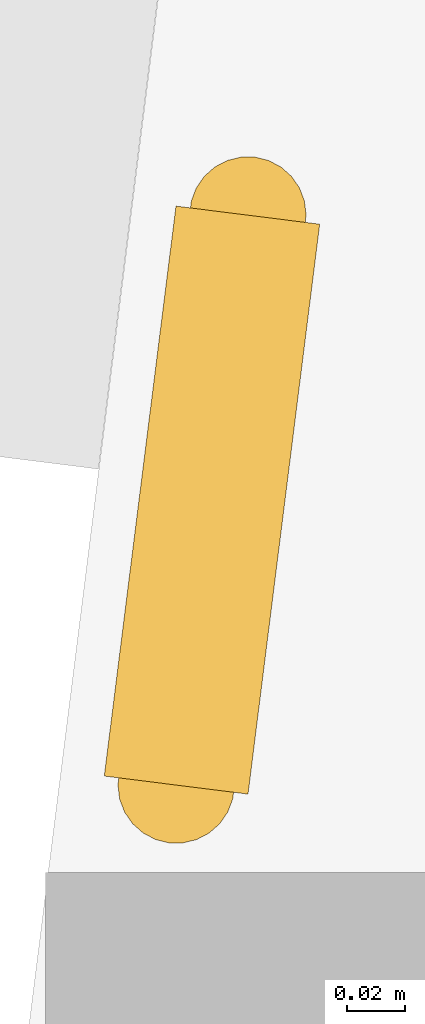
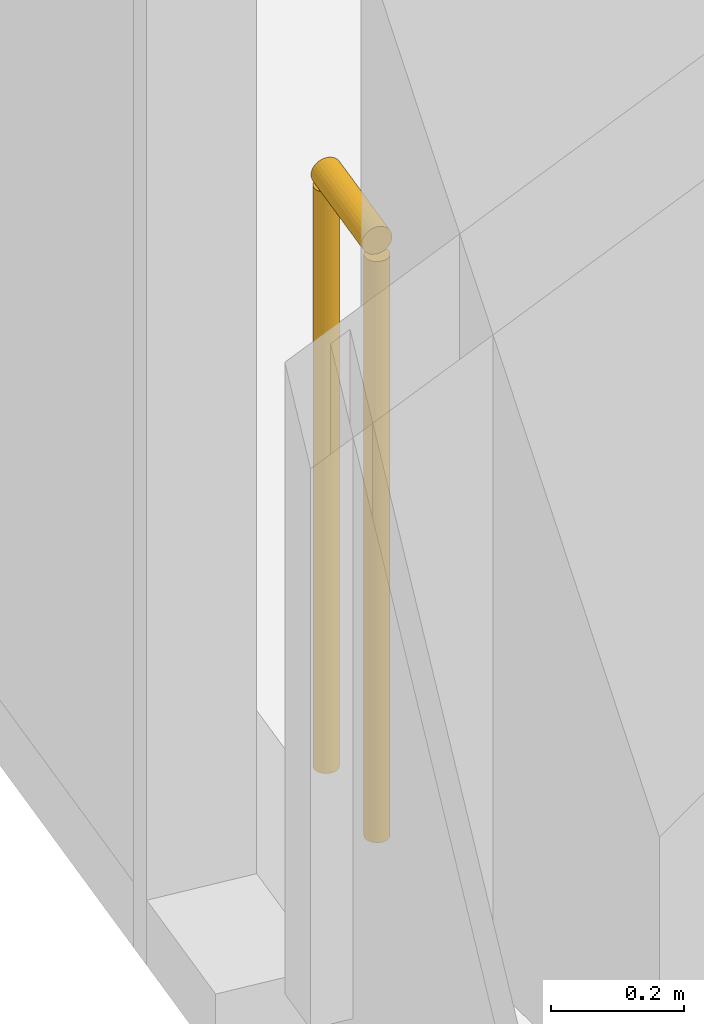
# One storey, part 24 of 27: 1 railing.
"""IFC4 building model written with IfcOpenShell, lengths in metres."""

from ifc_helpers import new_model, si_unit, direction, frame, origin, origin_2d, place, context, subcontext, project, spatial, circle, extrude, material, type_object, element, save


model = new_model("IFC4")

# Units and contexts
model_context = context("Model", 3, precision=1e-05, world=origin(), true_north=direction((0.0, 1.0)))
body_context = subcontext(model_context, "Body", "Model", "MODEL_VIEW")
ifc_project = project(units=[si_unit("LENGTHUNIT", "METRE"), si_unit("AREAUNIT", "SQUARE_METRE"), si_unit("VOLUMEUNIT", "CUBIC_METRE"), si_unit("PLANEANGLEUNIT", "RADIAN"), si_unit("MASSUNIT", "GRAM", prefix="KILO")], contexts=[model_context])

# Site, building, storey
site_placement = place(None, origin())
site = spatial("IfcSite", under=ifc_project, at=site_placement, CompositionType="ELEMENT")
building_placement = place(site_placement, origin())
building = spatial("IfcBuilding", under=site, at=building_placement, Name="Orlundy Tower", CompositionType="ELEMENT")
storey_placement = place(building_placement, frame((0.0, 0.0, 199.10009765625)))
storey = spatial("IfcBuildingStorey", under=building, at=storey_placement, Name="L52", CompositionType="ELEMENT", Elevation=199.10009765625)

# Railing
ifc_material = material(Name="Stainless steel bronze finish", Category="steel")
railing_type = type_object("IfcRailingType", Name="TG1 terrace guard", PredefinedType="GUARDRAIL", material=ifc_material)
railing_placement = place(storey_placement, frame((-24.947021484375, -38.407958984375, 0.0)))
element("IfcRailing", 1, at=railing_placement, inside=storey, type_object=railing_type, Name="Guard TG-L52-E01", PredefinedType="GUARDRAIL", context=body_context, shape_type="SweptSolid", body=[
    extrude(circle(Radius=0.02490234375, at=origin_2d()), frame((0.0, 0.0, 1.09521484375), z_axis=(0.124795064139, 0.99218253964, 0.0), x_axis=(-0.99218253964, 0.124795064139, 0.0)), (0.0, 0.0, 1.0), 0.197509765625),
    extrude(circle(Radius=0.02001953125, at=origin_2d()), origin(), (0.0, 0.0, 1.0), 1.070068359375),
    extrude(circle(Radius=0.02001953125, at=origin_2d()), frame((0.024658203125, 0.196044921875, 0.0)), (0.0, 0.0, 1.0), 1.070068359375),
])

save(model, "model.ifc")
